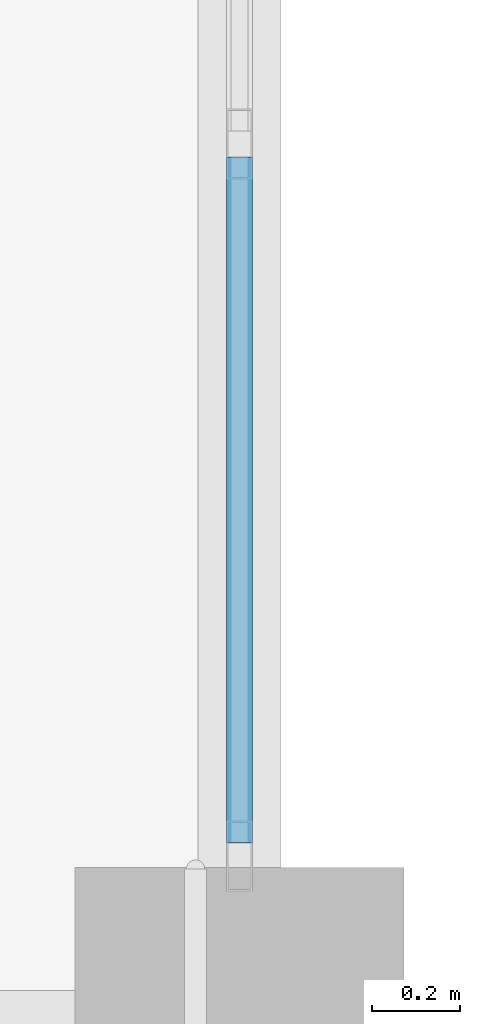
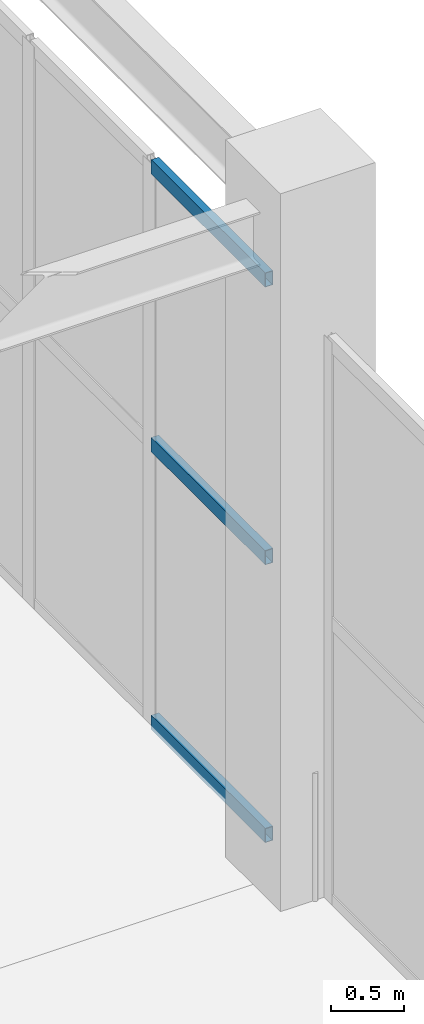
# One storey, part 105 of 223: 3 members, 1 element without a shape of its own.
"""IFC4 building model written with IfcOpenShell, lengths in metres."""

from ifc_helpers import new_model, si_unit, direction, frame, origin, origin_2d, place, context, subcontext, project, spatial, hollow_rectangle, extrude, material, layer, layer_set, material_profile, profile_set, type_object, element, aggregate, save


model = new_model("IFC4")

# Units and contexts
model_context = context("Model", 3, precision=1e-05, world=origin(), true_north=direction((0.0, 1.0)))
body_context = subcontext(model_context, "Body", "Model", "MODEL_VIEW")
ifc_project = project(units=[si_unit("LENGTHUNIT", "METRE"), si_unit("AREAUNIT", "SQUARE_METRE"), si_unit("VOLUMEUNIT", "CUBIC_METRE"), si_unit("PLANEANGLEUNIT", "RADIAN"), si_unit("MASSUNIT", "GRAM", prefix="KILO")], contexts=[model_context])

# Site, building, storey
site_placement = place(None, origin())
site = spatial("IfcSite", under=ifc_project, at=site_placement, CompositionType="ELEMENT")
building_placement = place(site_placement, origin())
building = spatial("IfcBuilding", under=site, at=building_placement, Name="Dornveld Trade and Exhibition Forum", CompositionType="ELEMENT")
storey_placement = place(building_placement, frame((0.0, 0.0, 6.0)))
storey = spatial("IfcBuildingStorey", under=building, at=storey_placement, Name="L01", CompositionType="ELEMENT", Elevation=6.0)

# Curtain wall, members
ifc_material_1 = material(Name="Dark-bronze anodised aluminium and low-E glass", Category="aluminium")
ifc_layer = layer(ifc_material_1, 0.15087890625)
ifc_layer_set = layer_set([ifc_layer], Name="Dark-bronze anodised aluminium and low-E glass")
curtain_wall_type = type_object("IfcCurtainWallType", Name="CW-SYS-03", PredefinedType="USERDEFINED", material=ifc_layer_set)
curtain_wall_placement = place(storey_placement, origin())
curtain_wall = element("IfcCurtainWall", 1, at=curtain_wall_placement, inside=storey, type_object=curtain_wall_type, Name="L01 unitised curtain wall 111", ObjectType="UNITISED_CURTAIN_WALL", PredefinedType="USERDEFINED")
ifc_material_2 = material(Name="Dark-bronze anodised aluminium", Category="aluminium")
ifc_material_profile = material_profile(ifc_material_2, hollow_rectangle(XDim=0.06005859375, YDim=0.1201171875, WallThickness=0.00390625, at=origin_2d()), Name="RHS 120x60x4")
ifc_profile_set = profile_set([ifc_material_profile], Name="Dark-bronze anodised aluminium")
member_type = type_object("IfcMemberType", Name="CW-TRN-120", PredefinedType="USERDEFINED", material=ifc_profile_set)
member_1_placement = place(storey_placement, frame((216.0, 126.430908203125, 0.02587890625), z_axis=(0.0, 1.0, 0.0), x_axis=(-1.0, 0.0, 0.0)))
member_1 = element("IfcMember", 2, at=member_1_placement, type_object=member_type, Name="CW-03 transom 1.1", ObjectType="TRANSOM", PredefinedType="USERDEFINED", context=body_context, shape_type="SweptSolid", body=[
    extrude(hollow_rectangle(XDim=0.06005859375, YDim=0.1201171875, WallThickness=0.00390625, at=origin_2d()), origin(), (0.0, 0.0, 1.0), 1.561767578125),
])
member_2_placement = place(storey_placement, frame((216.0, 126.430908203125, 2.347900390625), z_axis=(0.0, 1.0, 0.0), x_axis=(-1.0, 0.0, 0.0)))
member_2 = element("IfcMember", 3, at=member_2_placement, type_object=member_type, Name="CW-03 transom 1.2", ObjectType="TRANSOM", PredefinedType="USERDEFINED", context=body_context, shape_type="SweptSolid", body=[
    extrude(hollow_rectangle(XDim=0.06005859375, YDim=0.1201171875, WallThickness=0.00390625, at=origin_2d()), origin(), (0.0, 0.0, 1.0), 1.561767578125),
])
member_3_placement = place(storey_placement, frame((216.0, 126.430908203125, 4.669921875), z_axis=(0.0, 1.0, 0.0), x_axis=(-1.0, 0.0, 0.0)))
member_3 = element("IfcMember", 4, at=member_3_placement, type_object=member_type, Name="CW-03 transom 1.3", ObjectType="TRANSOM", PredefinedType="USERDEFINED", context=body_context, shape_type="SweptSolid", body=[
    extrude(hollow_rectangle(XDim=0.06005859375, YDim=0.1201171875, WallThickness=0.00390625, at=origin_2d()), origin(), (0.0, 0.0, 1.0), 1.561767578125),
])
aggregate(curtain_wall, [member_1, member_2, member_3])

save(model, "model.ifc")
